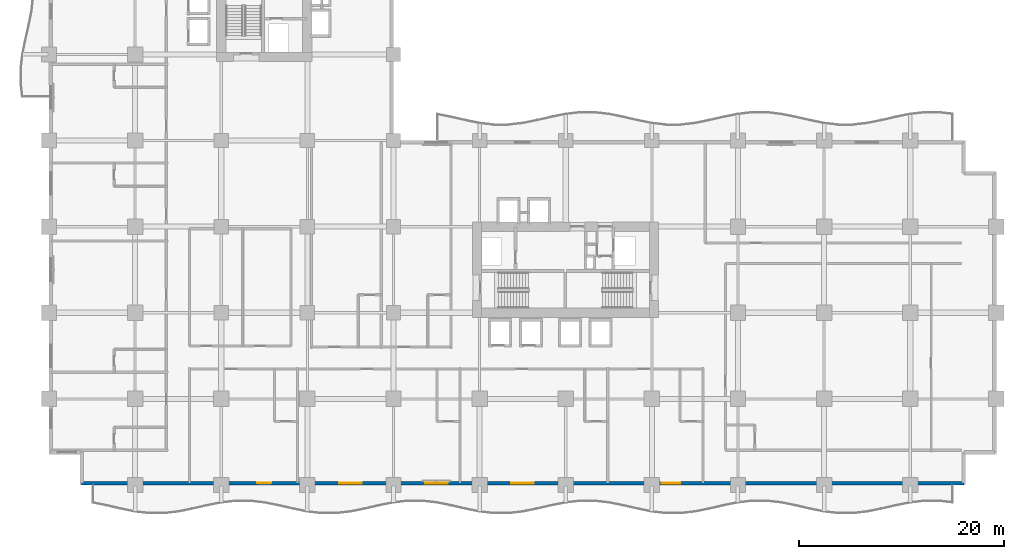
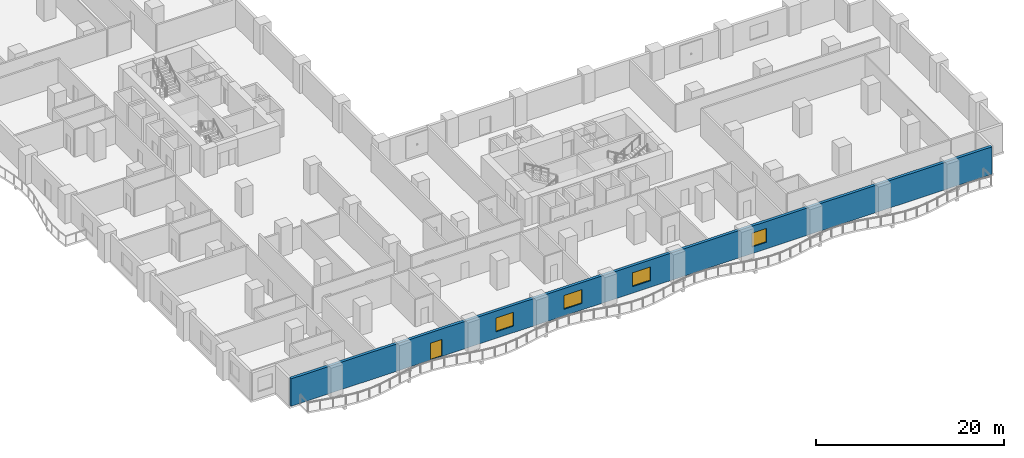
# One storey, part 5 of 20: 4 windows, 1 door, 1 wall, 5 openings.
"""IFC4 building model written with IfcOpenShell, lengths in metres."""

from ifc_helpers import new_model, si_unit, direction, frame, frame_2d, origin, place, context, subcontext, project, spatial, rectangle, extrude, material, layer, layer_set, type_object, element, fill, save


model = new_model("IFC4")

# Units and contexts
model_context = context("Model", 3, precision=1e-05, world=origin(), true_north=direction((0.0, 1.0)))
body_context = subcontext(model_context, "Body", "Model", "MODEL_VIEW")
ifc_project = project(units=[si_unit("LENGTHUNIT", "METRE"), si_unit("AREAUNIT", "SQUARE_METRE"), si_unit("VOLUMEUNIT", "CUBIC_METRE"), si_unit("PLANEANGLEUNIT", "RADIAN"), si_unit("MASSUNIT", "GRAM", prefix="KILO")], contexts=[model_context])

# Site, building, storey
site_placement = place(None, origin())
site = spatial("IfcSite", under=ifc_project, at=site_placement, CompositionType="ELEMENT")
building_placement = place(site_placement, origin())
building = spatial("IfcBuilding", under=site, at=building_placement, Name="Koriwani Terraces Tower", CompositionType="ELEMENT")
storey_placement = place(building_placement, frame((0.0, 0.0, 73.800048828125)))
storey = spatial("IfcBuildingStorey", under=building, at=storey_placement, Name="L17", CompositionType="ELEMENT", Elevation=73.800048828125)

# Wall, openings, door, windows
ifc_material_1 = material(Name="Concrete C50/60", Category="concrete")
ifc_layer = layer(ifc_material_1, 0.35009765625, Name="Concrete C50/60")
ifc_layer_set = layer_set([ifc_layer], Name="Concrete C50/60")
wall_type = type_object("IfcWallType", Name="WALL_EXT_BRUTALIST_350", PredefinedType="STANDARD", material=ifc_layer_set)
wall_placement = place(storey_placement, frame((89.22509765625, 0.175048828125, 0.0), z_axis=(0.0, 0.0, 1.0), x_axis=(-1.0, 0.0, 0.0)))
wall = element("IfcWall", 1, at=wall_placement, inside=storey, type_object=wall_type, Name="L17 Fair-Faced Brutalist Exterior Wall (S)", PredefinedType="STANDARD", context=body_context, shape_type="SweptSolid", body=[
    extrude(rectangle(XDim=86.050048828125, YDim=0.35009765625, at=frame_2d((43.02490234375, 0.0))), origin(), (0.0, 0.0, 1.0), 3.550048828125),
])
opening_1_placement = place(wall_placement, frame((67.52490234375, 0.0, 0.0)))
opening_1 = element("IfcOpeningElement", 2, at=opening_1_placement, cuts=wall, Name="Opening D-09", PredefinedType="OPENING", context=body_context, shape_type="SweptSolid", body=[
    extrude(rectangle(XDim=1.39990234375, YDim=2.199951171875, at=frame_2d((0.699951171875, 1.10009765625))), frame((0.0, 0.18505859375, 0.0), z_axis=(0.0, -1.0, 0.0), x_axis=(1.0, 0.0, 0.0)), (0.0, 0.0, 1.0), 0.3701171875),
])
opening_2_placement = place(wall_placement, frame((58.72509765625, 0.0, 0.85009765625)))
opening_2 = element("IfcOpeningElement", 3, at=opening_2_placement, cuts=wall, Name="Opening W-01", PredefinedType="OPENING", context=body_context, shape_type="SweptSolid", body=[
    extrude(rectangle(XDim=2.199951171875, YDim=1.800048828125, at=frame_2d((1.10009765625, 0.89990234375))), frame((0.0, 0.18505859375, 0.0), z_axis=(0.0, -1.0, 0.0), x_axis=(1.0, 0.0, 0.0)), (0.0, 0.0, 1.0), 0.3701171875),
])
opening_3_placement = place(wall_placement, frame((50.324951171875, 0.0, 0.85009765625)))
opening_3 = element("IfcOpeningElement", 4, at=opening_3_placement, cuts=wall, Name="Opening W-01", PredefinedType="OPENING", context=body_context, shape_type="SweptSolid", body=[
    extrude(rectangle(XDim=2.199951171875, YDim=1.800048828125, at=frame_2d((1.10009765625, 0.89990234375))), frame((0.0, 0.18505859375, 0.0), z_axis=(0.0, -1.0, 0.0), x_axis=(1.0, 0.0, 0.0)), (0.0, 0.0, 1.0), 0.3701171875),
])
opening_4_placement = place(wall_placement, frame((41.925048828125, 0.0, 0.85009765625)))
opening_4 = element("IfcOpeningElement", 5, at=opening_4_placement, cuts=wall, Name="Opening W-01", PredefinedType="OPENING", context=body_context, shape_type="SweptSolid", body=[
    extrude(rectangle(XDim=2.199951171875, YDim=1.800048828125, at=frame_2d((1.10009765625, 0.89990234375))), frame((0.0, 0.18505859375, 0.0), z_axis=(0.0, -1.0, 0.0), x_axis=(1.0, 0.0, 0.0)), (0.0, 0.0, 1.0), 0.3701171875),
])
opening_5_placement = place(wall_placement, frame((27.675048828125, 0.0, 0.85009765625)))
opening_5 = element("IfcOpeningElement", 6, at=opening_5_placement, cuts=wall, Name="Opening W-04", PredefinedType="OPENING", context=body_context, shape_type="SweptSolid", body=[
    extrude(rectangle(XDim=1.800048828125, YDim=1.800048828125, at=frame_2d((0.89990234375, 0.89990234375))), frame((0.0, 0.18505859375, 0.0), z_axis=(0.0, -1.0, 0.0), x_axis=(1.0, 0.0, 0.0)), (0.0, 0.0, 1.0), 0.3701171875),
])
ifc_material_2 = material(Name="Anodised Bronze Aluminium", Category="aluminium")
door_type = type_object("IfcDoorType", Name="DOOR_BALCONY_GLAZED_1400X2200", OperationType="NOTDEFINED", PredefinedType="DOOR", material=ifc_material_2)
door_placement = place(opening_1_placement, origin())
door = element("IfcDoor", 7, at=door_placement, inside=storey, type_object=door_type, Name="L17 South Balcony Glazed Door", OperationType="SINGLE_SWING_LEFT", OverallHeight=2.199951171875, OverallWidth=1.39990234375, PredefinedType="DOOR", context=body_context, shape_type="SweptSolid", body=[
    extrude(rectangle(XDim=1.39990234375, YDim=2.199951171875, at=frame_2d((0.699951171875, 1.10009765625))), frame((0.0, 0.02490234375, 0.0), z_axis=(0.0, -1.0, 0.0), x_axis=(1.0, 0.0, 0.0)), (0.0, 0.0, 1.0), 0.050048828125),
])
fill(opening_1, door)
ifc_material_3 = material(Name="Tempered Laminated Low-E Glass", Category="glass")
window_type_1 = type_object("IfcWindowType", Name="WIN_HOTEL_STD_2200X1800", PartitioningType="DOUBLE_PANEL_VERTICAL", PredefinedType="WINDOW", material=ifc_material_3)
window_1_placement = place(opening_2_placement, origin())
window_1 = element("IfcWindow", 8, at=window_1_placement, inside=storey, type_object=window_type_1, Name="L17 Exterior Window (S-9)", OverallHeight=1.800048828125, OverallWidth=2.199951171875, PartitioningType="SINGLE_PANEL", PredefinedType="WINDOW", context=body_context, shape_type="SweptSolid", body=[
    extrude(rectangle(XDim=2.199951171875, YDim=1.800048828125, at=frame_2d((1.10009765625, 0.89990234375))), frame((0.0, 0.030029296875, 0.0), z_axis=(0.0, -1.0, 0.0), x_axis=(1.0, 0.0, 0.0)), (0.0, 0.0, 1.0), 0.06005859375),
])
fill(opening_2, window_1)
window_2_placement = place(opening_3_placement, origin())
window_2 = element("IfcWindow", 9, at=window_2_placement, inside=storey, type_object=window_type_1, Name="L17 Exterior Window (S-12)", OverallHeight=1.800048828125, OverallWidth=2.199951171875, PartitioningType="SINGLE_PANEL", PredefinedType="WINDOW", context=body_context, shape_type="SweptSolid", body=[
    extrude(rectangle(XDim=2.199951171875, YDim=1.800048828125, at=frame_2d((1.10009765625, 0.89990234375))), frame((0.0, 0.030029296875, 0.0), z_axis=(0.0, -1.0, 0.0), x_axis=(1.0, 0.0, 0.0)), (0.0, 0.0, 1.0), 0.06005859375),
])
fill(opening_3, window_2)
window_3_placement = place(opening_4_placement, origin())
window_3 = element("IfcWindow", 10, at=window_3_placement, inside=storey, type_object=window_type_1, Name="L17 Exterior Window (S-15)", OverallHeight=1.800048828125, OverallWidth=2.199951171875, PartitioningType="SINGLE_PANEL", PredefinedType="WINDOW", context=body_context, shape_type="SweptSolid", body=[
    extrude(rectangle(XDim=2.199951171875, YDim=1.800048828125, at=frame_2d((1.10009765625, 0.89990234375))), frame((0.0, 0.030029296875, 0.0), z_axis=(0.0, -1.0, 0.0), x_axis=(1.0, 0.0, 0.0)), (0.0, 0.0, 1.0), 0.06005859375),
])
fill(opening_4, window_3)
window_type_2 = type_object("IfcWindowType", Name="WIN_RES_BED_1800X1800", PartitioningType="DOUBLE_PANEL_VERTICAL", PredefinedType="WINDOW", material=ifc_material_3)
window_4_placement = place(opening_5_placement, origin())
window_4 = element("IfcWindow", 11, at=window_4_placement, inside=storey, type_object=window_type_2, Name="L17 Exterior Window (S-R54)", OverallHeight=1.800048828125, OverallWidth=1.800048828125, PartitioningType="SINGLE_PANEL", PredefinedType="WINDOW", context=body_context, shape_type="SweptSolid", body=[
    extrude(rectangle(XDim=1.800048828125, YDim=1.800048828125, at=frame_2d((0.89990234375, 0.89990234375))), frame((0.0, 0.030029296875, 0.0), z_axis=(0.0, -1.0, 0.0), x_axis=(1.0, 0.0, 0.0)), (0.0, 0.0, 1.0), 0.06005859375),
])
fill(opening_5, window_4)

save(model, "model.ifc")
